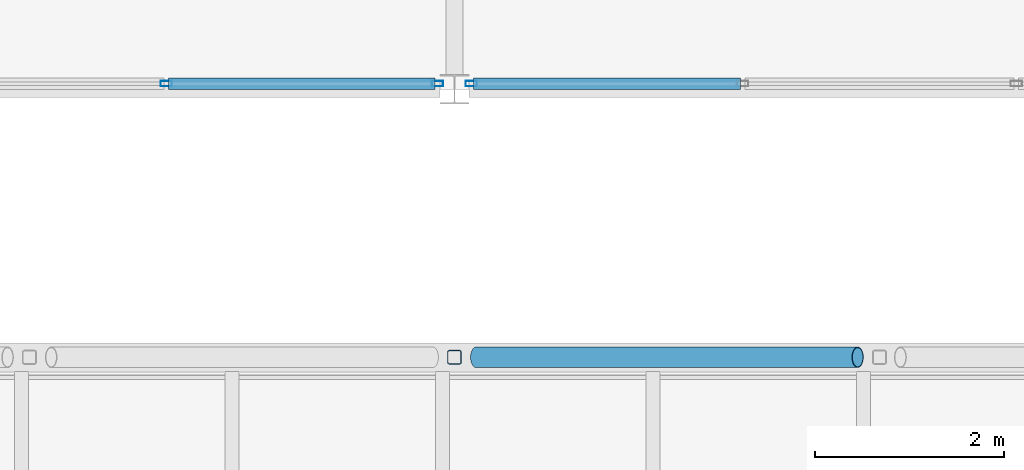
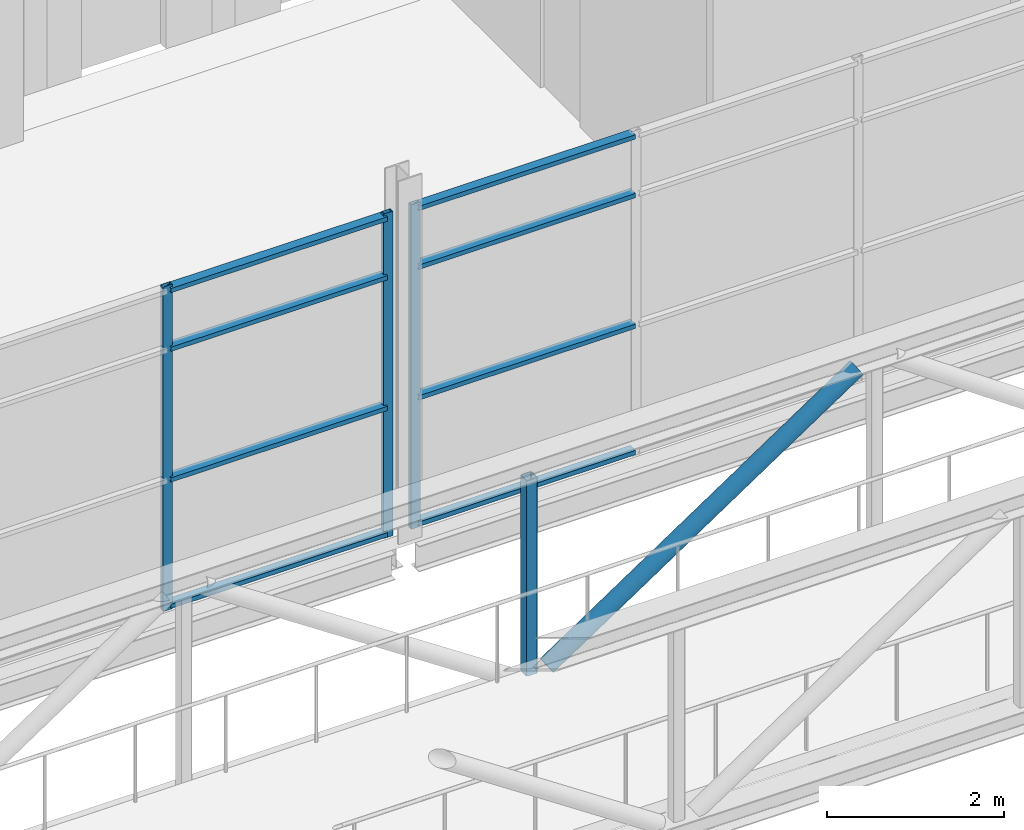
# One storey, part 47 of 94: 13 members, 2 elements without a shape of their own.
"""IFC4 building model written with IfcOpenShell, lengths in metres."""

from ifc_helpers import new_model, si_unit, direction, frame, origin, origin_2d, place, context, subcontext, project, spatial, hollow_rectangle, hollow_circle, extrude, material, layer, layer_set, material_profile, profile_set, type_object, element, aggregate, save


model = new_model("IFC4")

# Units and contexts
model_context = context("Model", 3, precision=1e-05, world=origin(), true_north=direction((0.0, 1.0)))
body_context = subcontext(model_context, "Body", "Model", "MODEL_VIEW")
ifc_project = project(units=[si_unit("LENGTHUNIT", "METRE"), si_unit("AREAUNIT", "SQUARE_METRE"), si_unit("VOLUMEUNIT", "CUBIC_METRE"), si_unit("PLANEANGLEUNIT", "RADIAN"), si_unit("MASSUNIT", "GRAM", prefix="KILO")], contexts=[model_context])

# Site, building, storey
site_placement = place(None, origin())
site = spatial("IfcSite", under=ifc_project, at=site_placement, CompositionType="ELEMENT")
building_placement = place(site_placement, origin())
building = spatial("IfcBuilding", under=site, at=building_placement, Name="Shorebreak Coast Museum", CompositionType="ELEMENT")
storey_placement = place(building_placement, frame((0.0, 0.0, 31.0)))
storey = spatial("IfcBuildingStorey", under=building, at=storey_placement, Name="L05", CompositionType="ELEMENT", Elevation=31.0)

# Members
ifc_material_1 = material(Name="Steel Grade C350L0", Category="steel")
ifc_material_profile_1 = material_profile(ifc_material_1, hollow_circle(Radius=0.109619140625, WallThickness=0.00830078125, at=origin_2d()), Name="219.1x8.2 CHS")
ifc_profile_set_1 = profile_set([ifc_material_profile_1], Name="Steel Grade C350L0")
member_type_1 = type_object("IfcMemberType", Name="Atrium bridge truss diagonal 219.1x8.2 CHS", PredefinedType="BRACE", material=ifc_profile_set_1)
member_1_placement = place(storey_placement, frame((99.23095703125, 78.16259765625, -0.175048828125), z_axis=(0.832042555046, 0.0, 0.554711804987), x_axis=(0.0, 1.0, 0.0)))
element("IfcMember", 1, at=member_1_placement, inside=storey, type_object=member_type_1, Name="Atrium bridge truss BR3 side B diagonal D09", PredefinedType="BRACE", context=body_context, shape_type="SweptSolid", body=[
    extrude(hollow_circle(Radius=0.109619140625, WallThickness=0.00830078125, at=origin_2d()), origin(), (0.0, 0.0, 1.0), 4.853271484375),
])
ifc_material_2 = material(Name="Steel Grade C450L0", Category="steel")
ifc_material_profile_2 = material_profile(ifc_material_2, hollow_rectangle(XDim=0.14990234375, YDim=0.14990234375, WallThickness=0.009033203125, InnerFilletRadius=0.013427734375, OuterFilletRadius=0.0224609375, at=origin_2d()), Name="150x150x9.0 SHS")
ifc_profile_set_2 = profile_set([ifc_material_profile_2], Name="Steel Grade C450L0")
member_type_2 = type_object("IfcMemberType", Name="Atrium bridge truss strut 150x150x9.0 SHS", PredefinedType="STRUT", material=ifc_profile_set_2)
member_2_placement = place(storey_placement, frame((99.0, 78.16259765625, -0.175048828125), z_axis=(0.0, 0.0, 1.0), x_axis=(1.0, 0.0, 0.0)))
element("IfcMember", 2, at=member_2_placement, inside=storey, type_object=member_type_2, Name="Atrium bridge truss BR3 side B strut V09", PredefinedType="STRUT", context=body_context, shape_type="SweptSolid", body=[
    extrude(hollow_rectangle(XDim=0.14990234375, YDim=0.14990234375, WallThickness=0.009033203125, InnerFilletRadius=0.013427734375, OuterFilletRadius=0.0224609375, at=origin_2d()), origin(), (0.0, 0.0, 1.0), 2.692138671875),
])

# Curtain wall, members
ifc_material_3 = material(Name="Aluminium", Category="aluminium")
ifc_layer = layer(ifc_material_3, 0.1201171875)
ifc_layer_set = layer_set([ifc_layer], Name="Aluminium")
curtain_wall_type = type_object("IfcCurtainWallType", Name="Atrium fire screen", PredefinedType="NOTDEFINED", material=ifc_layer_set)
curtain_wall_1_placement = place(storey_placement, origin())
curtain_wall_1 = element("IfcCurtainWall", 3, at=curtain_wall_1_placement, inside=storey, type_object=curtain_wall_type, Name="Atrium screen L05 N 71", PredefinedType="NOTDEFINED")
ifc_material_4 = material(Name="Aluminium", Category="aluminium")
ifc_material_profile_3 = material_profile(ifc_material_4, hollow_rectangle(XDim=0.06005859375, YDim=0.1201171875, WallThickness=0.00341796875, at=origin_2d()), Name="AL 120x60 RHS")
ifc_profile_set_3 = profile_set([ifc_material_profile_3], Name="Aluminium")
member_type_3 = type_object("IfcMemberType", Name="Screen mullion 50 x 120", PredefinedType="MULLION", material=ifc_profile_set_3)
member_3_placement = place(storey_placement, frame((95.94873046875, 81.06005859375, 0.0), z_axis=(0.0, 0.0, 1.0), x_axis=(0.0, 1.0, 0.0)))
member_3 = element("IfcMember", 4, at=member_3_placement, type_object=member_type_3, Name="CW6 mullion 3", PredefinedType="MULLION", context=body_context, shape_type="SweptSolid", body=[
    extrude(hollow_rectangle(XDim=0.06005859375, YDim=0.1201171875, WallThickness=0.00341796875, at=origin_2d()), origin(), (0.0, 0.0, 1.0), 4.469482421875),
])
member_4_placement = place(storey_placement, frame((98.821533203125, 81.06005859375, 0.0), z_axis=(0.0, 0.0, 1.0), x_axis=(0.0, 1.0, 0.0)))
member_4 = element("IfcMember", 5, at=member_4_placement, type_object=member_type_3, Name="CW6 mullion 4", PredefinedType="MULLION", context=body_context, shape_type="SweptSolid", body=[
    extrude(hollow_rectangle(XDim=0.06005859375, YDim=0.1201171875, WallThickness=0.00341796875, at=origin_2d()), origin(), (0.0, 0.0, 1.0), 4.469482421875),
])

# Curtain wall, member
curtain_wall_2_placement = place(storey_placement, origin())
curtain_wall_2 = element("IfcCurtainWall", 6, at=curtain_wall_2_placement, inside=storey, type_object=curtain_wall_type, Name="Atrium screen L05 N 72", PredefinedType="NOTDEFINED")
member_5_placement = place(storey_placement, frame((99.178466796875, 81.06005859375, 0.0), z_axis=(0.0, 0.0, 1.0), x_axis=(0.0, 1.0, 0.0)))
member_5 = element("IfcMember", 7, at=member_5_placement, type_object=member_type_3, Name="CW4 mullion 1", PredefinedType="MULLION", context=body_context, shape_type="SweptSolid", body=[
    extrude(hollow_rectangle(XDim=0.06005859375, YDim=0.1201171875, WallThickness=0.00341796875, at=origin_2d()), origin(), (0.0, 0.0, 1.0), 4.469482421875),
])

# Member
ifc_material_5 = material(Name="Aluminium", Category="aluminium")
ifc_material_profile_4 = material_profile(ifc_material_5, hollow_rectangle(XDim=0.1201171875, YDim=0.06005859375, WallThickness=0.00341796875, at=origin_2d()), Name="AL 60x120 RHS")
ifc_profile_set_4 = profile_set([ifc_material_profile_4], Name="Aluminium")
member_type_4 = type_object("IfcMemberType", Name="Screen transom 120 x 50", PredefinedType="USERDEFINED", material=ifc_profile_set_4)
member_6_placement = place(storey_placement, frame((95.973876953125, 81.06005859375, 0.06005859375), z_axis=(1.0, 0.0, 0.0), x_axis=(0.0, 1.0, 0.0)))
member_6 = element("IfcMember", 8, at=member_6_placement, type_object=member_type_4, Name="CW6 transom 3.1", ObjectType="TRANSOM", PredefinedType="USERDEFINED", context=body_context, shape_type="SweptSolid", body=[
    extrude(hollow_rectangle(XDim=0.1201171875, YDim=0.06005859375, WallThickness=0.00341796875, at=origin_2d()), origin(), (0.0, 0.0, 1.0), 2.822509765625),
])

member_7_placement = place(storey_placement, frame((95.973876953125, 81.06005859375, 1.800048828125), z_axis=(1.0, 0.0, 0.0), x_axis=(0.0, 1.0, 0.0)))
member_7 = element("IfcMember", 9, at=member_7_placement, type_object=member_type_4, Name="CW6 transom 3.2", ObjectType="TRANSOM", PredefinedType="USERDEFINED", context=body_context, shape_type="SweptSolid", body=[
    extrude(hollow_rectangle(XDim=0.1201171875, YDim=0.06005859375, WallThickness=0.00341796875, at=origin_2d()), origin(), (0.0, 0.0, 1.0), 2.822509765625),
])

member_8_placement = place(storey_placement, frame((95.973876953125, 81.06005859375, 3.60009765625), z_axis=(1.0, 0.0, 0.0), x_axis=(0.0, 1.0, 0.0)))
member_8 = element("IfcMember", 10, at=member_8_placement, type_object=member_type_4, Name="CW6 transom 3.3", ObjectType="TRANSOM", PredefinedType="USERDEFINED", context=body_context, shape_type="SweptSolid", body=[
    extrude(hollow_rectangle(XDim=0.1201171875, YDim=0.06005859375, WallThickness=0.00341796875, at=origin_2d()), origin(), (0.0, 0.0, 1.0), 2.822509765625),
])

member_9_placement = place(storey_placement, frame((95.973876953125, 81.06005859375, 4.409423828125), z_axis=(1.0, 0.0, 0.0), x_axis=(0.0, 1.0, 0.0)))
member_9 = element("IfcMember", 11, at=member_9_placement, type_object=member_type_4, Name="CW6 transom 3.4", ObjectType="TRANSOM", PredefinedType="USERDEFINED", context=body_context, shape_type="SweptSolid", body=[
    extrude(hollow_rectangle(XDim=0.1201171875, YDim=0.06005859375, WallThickness=0.00341796875, at=origin_2d()), origin(), (0.0, 0.0, 1.0), 2.822509765625),
])

aggregate(curtain_wall_1, [member_3, member_4, member_6, member_7, member_8, member_9])

member_10_placement = place(storey_placement, frame((99.20361328125, 81.06005859375, 0.06005859375), z_axis=(1.0, 0.0, 0.0), x_axis=(0.0, 1.0, 0.0)))
member_10 = element("IfcMember", 12, at=member_10_placement, type_object=member_type_4, Name="CW4 transom 1.1", ObjectType="TRANSOM", PredefinedType="USERDEFINED", context=body_context, shape_type="SweptSolid", body=[
    extrude(hollow_rectangle(XDim=0.1201171875, YDim=0.06005859375, WallThickness=0.00341796875, at=origin_2d()), origin(), (0.0, 0.0, 1.0), 2.822509765625),
])

member_11_placement = place(storey_placement, frame((99.20361328125, 81.06005859375, 1.800048828125), z_axis=(1.0, 0.0, 0.0), x_axis=(0.0, 1.0, 0.0)))
member_11 = element("IfcMember", 13, at=member_11_placement, type_object=member_type_4, Name="CW4 transom 1.2", ObjectType="TRANSOM", PredefinedType="USERDEFINED", context=body_context, shape_type="SweptSolid", body=[
    extrude(hollow_rectangle(XDim=0.1201171875, YDim=0.06005859375, WallThickness=0.00341796875, at=origin_2d()), origin(), (0.0, 0.0, 1.0), 2.822509765625),
])

member_12_placement = place(storey_placement, frame((99.20361328125, 81.06005859375, 3.60009765625), z_axis=(1.0, 0.0, 0.0), x_axis=(0.0, 1.0, 0.0)))
member_12 = element("IfcMember", 14, at=member_12_placement, type_object=member_type_4, Name="CW4 transom 1.3", ObjectType="TRANSOM", PredefinedType="USERDEFINED", context=body_context, shape_type="SweptSolid", body=[
    extrude(hollow_rectangle(XDim=0.1201171875, YDim=0.06005859375, WallThickness=0.00341796875, at=origin_2d()), origin(), (0.0, 0.0, 1.0), 2.822509765625),
])

member_13_placement = place(storey_placement, frame((99.20361328125, 81.06005859375, 4.409423828125), z_axis=(1.0, 0.0, 0.0), x_axis=(0.0, 1.0, 0.0)))
member_13 = element("IfcMember", 15, at=member_13_placement, type_object=member_type_4, Name="CW4 transom 1.4", ObjectType="TRANSOM", PredefinedType="USERDEFINED", context=body_context, shape_type="SweptSolid", body=[
    extrude(hollow_rectangle(XDim=0.1201171875, YDim=0.06005859375, WallThickness=0.00341796875, at=origin_2d()), origin(), (0.0, 0.0, 1.0), 2.822509765625),
])

aggregate(curtain_wall_2, [member_5, member_10, member_11, member_12, member_13])

save(model, "model.ifc")
